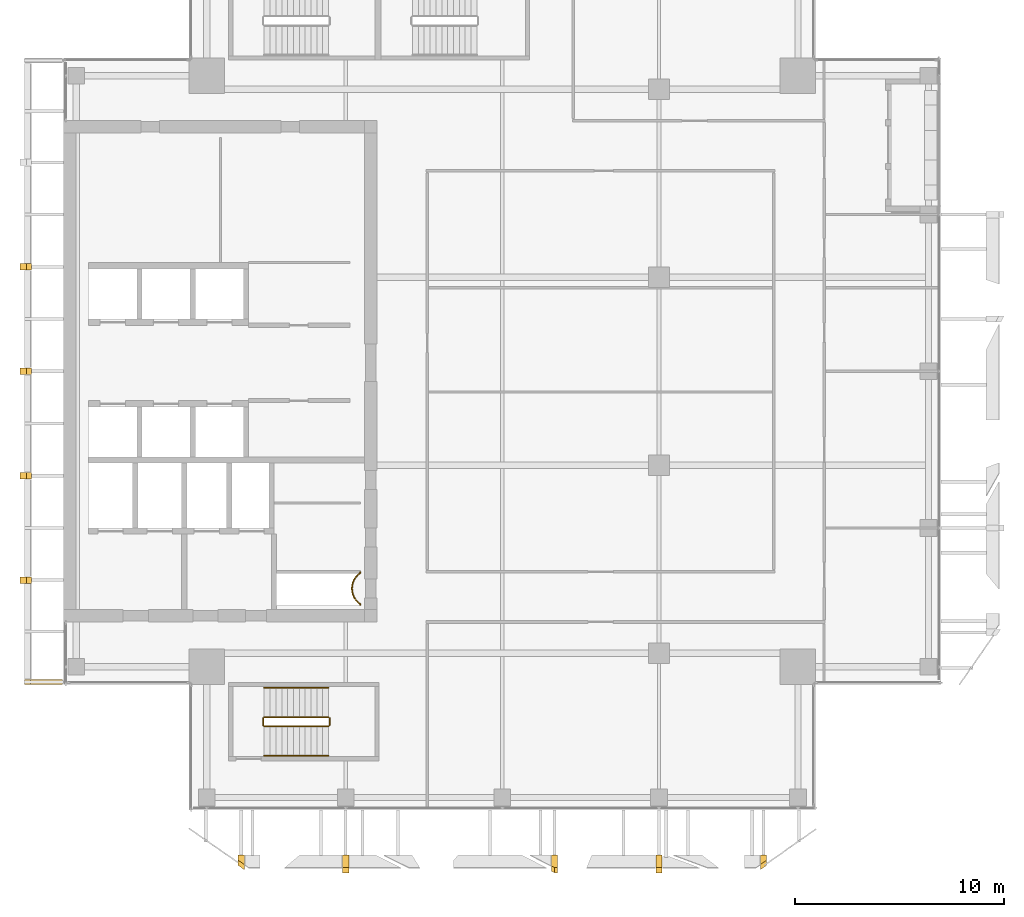
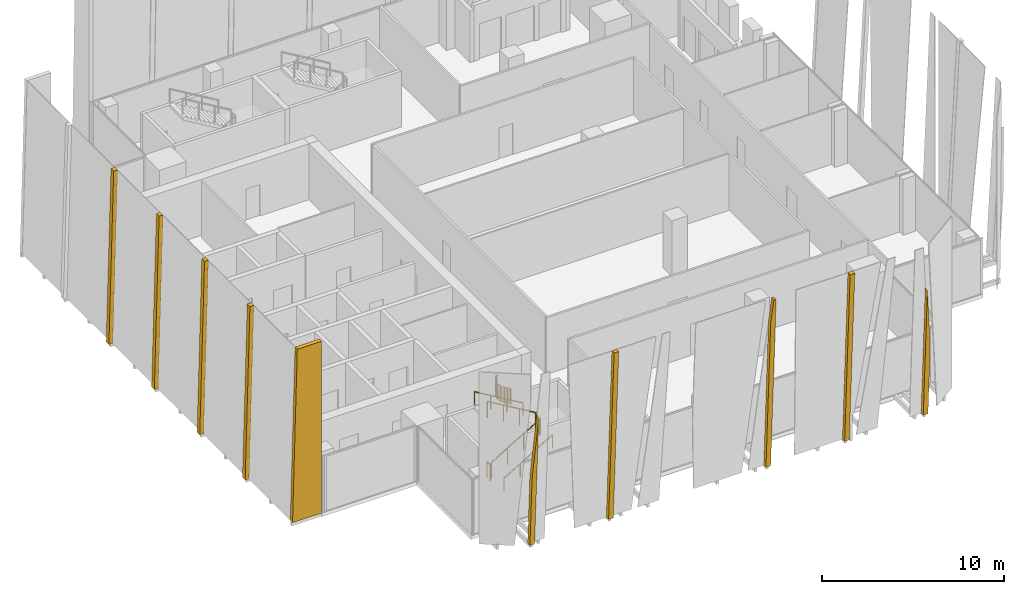
# One storey, part 29 of 32: 10 coverings, 7 railings.
"""IFC4 building model written with IfcOpenShell, lengths in metres."""

from ifc_helpers import new_model, si_unit, direction, frame, origin, origin_2d, place, context, subcontext, project, spatial, polyline, circle, outline, extrude, source, transform, mapped, material, layer, layer_set, type_object, element, save


model = new_model("IFC4")

# Units and contexts
model_context = context("Model", 3, precision=1e-05, world=origin(), true_north=direction((0.0, 1.0)))
body_context = subcontext(model_context, "Body", "Model", "MODEL_VIEW")
ifc_project = project(units=[si_unit("LENGTHUNIT", "METRE"), si_unit("AREAUNIT", "SQUARE_METRE"), si_unit("VOLUMEUNIT", "CUBIC_METRE"), si_unit("PLANEANGLEUNIT", "RADIAN"), si_unit("MASSUNIT", "GRAM", prefix="KILO")], contexts=[model_context])

# Site, building, storey
site_placement = place(None, origin())
site = spatial("IfcSite", under=ifc_project, at=site_placement, CompositionType="ELEMENT")
building_placement = place(site_placement, origin())
building = spatial("IfcBuilding", under=site, at=building_placement, Name="Khomas Fold Tower", CompositionType="ELEMENT")
storey_placement = place(building_placement, frame((0.0, 0.0, 306.199951171875)))
storey = spatial("IfcBuildingStorey", under=building, at=storey_placement, Name="L69", CompositionType="ELEMENT", Elevation=306.199951171875)

# Coverings
ifc_material_1 = material(Name="Natural stone cladding", Category="masonry")
ifc_layer = layer(ifc_material_1, 0.25)
ifc_layer_set = layer_set([ifc_layer], Name="Natural stone cladding")
covering_type = type_object("IfcCoveringType", Name="SK-Karibib marble stone mullion", PredefinedType="CLADDING", material=ifc_layer_set)
covering_1_placement = place(storey_placement, frame((14.35009765625, 3.84228515625, 0.0), z_axis=(0.00013649009, 0.998629476826, 0.052336883602), x_axis=(-1.197e-09, -0.052336884089, 0.998629486128)))
element("IfcCovering", 1, at=covering_1_placement, inside=storey, type_object=covering_type, Name="OUTER SKIN mullion L69 SM099-1", PredefinedType="CLADDING", context=body_context, shape_type="SweptSolid", body=[
    extrude(outline(polyline([(0.0, 0.0), (4.665571776697205, 6.776263578034403e-21), (8.671065644539029, 0.29980470067287324), (-3.589006164258358e-10, 0.2998046847073876), (0.0, 0.0)])), origin(), (0.0, 0.0, -1.0), 0.25),
])
covering_2_placement = place(storey_placement, frame((19.35009765625, 3.84228515625, 0.0), z_axis=(0.0, 0.99862882819, 0.052349436554), x_axis=(0.0, -0.052349436554, 0.99862882819)))
element("IfcCovering", 2, at=covering_2_placement, inside=storey, type_object=covering_type, Name="OUTER SKIN mullion L69 SM100-6", PredefinedType="CLADDING", context=body_context, shape_type="SweptSolid", body=[
    extrude(outline(polyline([(0.0, 0.0), (11.565907674683308, 0.0), (11.565907674683308, 0.2998046875), (0.0, 0.2998046875), (0.0, 0.0)])), origin(), (0.0, 0.0, -1.0), 0.25),
])
covering_3_placement = place(storey_placement, frame((29.35009765625, 3.84228515625, 0.0), z_axis=(-3.9188745e-05, 0.998628799708, 0.052349965209), x_axis=(-6.8e-11, -0.052349965249, 0.998628800475)))
element("IfcCovering", 3, at=covering_3_placement, inside=storey, type_object=covering_type, Name="OUTER SKIN mullion L69 SM102-9", PredefinedType="CLADDING", context=body_context, shape_type="SweptSolid", body=[
    extrude(outline(polyline([(0.0, 0.0), (10.021799436815858, 3.3881317890172014e-21), (11.56590767467107, 0.15625000090578212), (11.565907674661318, 0.29980468829554946), (-2.036907511538925e-11, 0.29980468726978626), (0.0, 0.0)])), origin(), (0.0, 0.0, -1.0), 0.25),
])
covering_4_placement = place(storey_placement, frame((34.35009765625, 3.84228515625, 0.0), z_axis=(0.0, 0.99862882819, 0.052349436554), x_axis=(0.0, -0.052349436554, 0.99862882819)))
element("IfcCovering", 4, at=covering_4_placement, inside=storey, type_object=covering_type, Name="OUTER SKIN mullion L69 SM103-13", PredefinedType="CLADDING", context=body_context, shape_type="SweptSolid", body=[
    extrude(outline(polyline([(0.0, 0.0), (11.565907674683308, 0.0), (11.565907674683308, 0.2998046875), (0.0, 0.2998046875), (0.0, 0.0)])), origin(), (0.0, 0.0, -1.0), 0.25),
])
covering_5_placement = place(storey_placement, frame((39.64990234375, 3.59814453125, 4.6591796875), z_axis=(-0.00013649009, 0.998629476826, 0.052336883602), x_axis=(-1.197e-09, 0.052336884089, -0.998629486128)))
element("IfcCovering", 5, at=covering_5_placement, inside=storey, type_object=covering_type, Name="OUTER SKIN mullion L69 SM104-16", PredefinedType="CLADDING", context=body_context, shape_type="SweptSolid", body=[
    extrude(outline(polyline([(0.0, 0.0), (4.665571776697205, -6.776263578034403e-21), (4.665571777056106, 0.2998046847073876), (-4.005493867841824, 0.29980470067287324), (0.0, 0.0)])), origin(), (0.0, 0.0, -1.0), 0.25),
])
for number, where, z_axis, x_axis, name in (
    (6, (3.910400390625, 16.85009765625, 0.006591796875), (-0.999657230839, 0.0, 0.026180543005), (0.0, 1.0, 0.0), "OUTER SKIN mullion L69 W2"),
    (7, (3.910400390625, 21.85009765625, 0.006591796875), (-0.999657230839, 0.0, 0.026180543005), (0.0, 1.0, 0.0), "OUTER SKIN mullion L69 W4"),
    (8, (3.910400390625, 26.85009765625, 0.006591796875), (-0.999657230839, 0.0, 0.026180543005), (0.0, 1.0, 0.0), "OUTER SKIN mullion L69 W6"),
    (9, (3.910400390625, 31.85009765625, 0.006591796875), (-0.999657230839, 0.0, 0.026180543005), (0.0, 1.0, 0.0), "OUTER SKIN mullion L69 W8"),
):
    element("IfcCovering", number, at=place(storey_placement, frame(where, z_axis=z_axis, x_axis=x_axis)), inside=storey, type_object=covering_type, Name=name, PredefinedType="CLADDING", context=body_context, shape_type="SweptSolid", body=[
        extrude(outline(polyline([(0.0, 0.0), (0.2998046875, 0.0), (0.2998046875, -11.554009186164079), (0.0, -11.554009186164079), (0.0, 0.0)])), origin(), (0.0, 0.0, -1.0), 0.25),
    ])
covering_6_placement = place(storey_placement, frame((5.949951171875, 12.0, 11.550048828125), z_axis=(0.0, -1.0, 0.0), x_axis=(-1.0, 0.0, 0.0)))
element("IfcCovering", 10, at=covering_6_placement, inside=storey, type_object=covering_type, Name="OUTER SKIN return L69 W1", PredefinedType="CLADDING", context=body_context, shape_type="SweptSolid", body=[
    extrude(outline(polyline([(0.0, 0.0), (1.52734375, 0.0), (1.82958984375, 11.550048828125), (0.0, 11.550048828125), (0.0, 0.0)])), origin(), (0.0, 0.0, -1.0), 0.25),
])

# Railings
ifc_material_2 = material(Name="Steel balustrade", Category="steel")
railing_type_1 = type_object("IfcRailingType", Name="Stair guard", PredefinedType="GUARDRAIL", material=ifc_material_2)
shared_shape_1 = source(origin(), body_context, "Body", "SweptSolid", [
    extrude(circle(Radius=0.02392578125, at=origin_2d()), frame((0.0, 0.0, 1.076171875), z_axis=(0.0, 1.0, 0.0), x_axis=(-1.0, 0.0, 0.0)), (0.0, 0.0, 1.0), 0.349853515625),
    extrude(circle(Radius=0.02099609375, at=origin_2d()), origin(), (0.0, 0.0, 1.0), 1.052001953125),
    extrude(circle(Radius=0.02099609375, at=origin_2d()), frame((0.0, 0.349853515625, 0.0)), (0.0, 0.0, 1.0), 1.052001953125),
])
for number, where, name in (
    (11, (18.72998046875, 10.050048828125, 2.0), "L69 ST2 stair guard 2"),
    (12, (15.550048828125, 10.050048828125, 0.0), "L69 ST2 stair guard 4"),
):
    element("IfcRailing", number, at=place(storey_placement, frame(where)), inside=storey, type_object=railing_type_1, Name=name, PredefinedType="GUARDRAIL", context=body_context, shape_type="MappedRepresentation", body=[
        mapped(shared_shape_1, transform((0.0, 0.0, 0.0))),
    ])
shared_shape_2 = source(origin(), body_context, "Body", "SweptSolid", [
    extrude(circle(Radius=0.02392578125, at=origin_2d()), frame((0.0, 0.0, 1.076171875), z_axis=(0.859290745958, 0.0, 0.51148745235), x_axis=(0.0, 1.0, 0.0)), (0.0, 0.0, 1.0), 3.584228515625),
    extrude(circle(Radius=0.02099609375, at=origin_2d()), origin(), (0.0, 0.0, 1.0), 1.052001953125),
    extrude(circle(Radius=0.02099609375, at=origin_2d()), frame((1.026611328125, 0.0, 0.611083984375)), (0.0, 0.0, 1.0), 1.052001953125),
    extrude(circle(Radius=0.02099609375, at=origin_2d()), frame((2.05322265625, 0.0, 1.22216796875)), (0.0, 0.0, 1.0), 1.052001953125),
    extrude(circle(Radius=0.02099609375, at=origin_2d()), frame((3.079833984375, 0.0, 1.833251953125)), (0.0, 0.0, 1.0), 1.052001953125),
])
railing_1_placement = place(storey_placement, frame((15.60009765625, 10.0, 0.166748046875)))
element("IfcRailing", 13, at=railing_1_placement, inside=storey, type_object=railing_type_1, Name="L69 ST2 stair guard 1", PredefinedType="GUARDRAIL", context=body_context, shape_type="MappedRepresentation", body=[
    mapped(shared_shape_2, transform((0.0, 0.0, 0.0))),
])
shared_shape_3 = source(origin(), body_context, "Body", "SweptSolid", [
    extrude(circle(Radius=0.02392578125, at=origin_2d()), frame((0.0, 0.0, 1.076171875), z_axis=(-0.859290745958, 0.0, 0.51148745235), x_axis=(0.0, -1.0, 0.0)), (0.0, 0.0, 1.0), 3.584228515625),
    extrude(circle(Radius=0.02099609375, at=origin_2d()), origin(), (0.0, 0.0, 1.0), 1.052001953125),
    extrude(circle(Radius=0.02099609375, at=origin_2d()), frame((-1.026611328125, 0.0, 0.611083984375)), (0.0, 0.0, 1.0), 1.052001953125),
    extrude(circle(Radius=0.02099609375, at=origin_2d()), frame((-2.05322265625, 0.0, 1.22216796875)), (0.0, 0.0, 1.0), 1.052001953125),
    extrude(circle(Radius=0.02099609375, at=origin_2d()), frame((-3.079833984375, 0.0, 1.833251953125)), (0.0, 0.0, 1.0), 1.052001953125),
])
railing_2_placement = place(storey_placement, frame((18.679931640625, 10.449951171875, 2.166748046875)))
element("IfcRailing", 14, at=railing_2_placement, inside=storey, type_object=railing_type_1, Name="L69 ST2 stair guard 3", PredefinedType="GUARDRAIL", context=body_context, shape_type="MappedRepresentation", body=[
    mapped(shared_shape_3, transform((0.0, 0.0, 0.0))),
])
ifc_material_3 = material(Name="Steel handrail", Category="steel")
railing_type_2 = type_object("IfcRailingType", Name="Stair handrail", PredefinedType="HANDRAIL", material=ifc_material_3)
shared_shape_4 = source(origin(), body_context, "Body", "SweptSolid", [
    extrude(circle(Radius=0.02392578125, at=origin_2d()), frame((0.0, 0.0, 0.8759765625), z_axis=(0.859290745958, 0.0, 0.51148745235), x_axis=(0.0, 1.0, 0.0)), (0.0, 0.0, 1.0), 3.584228515625),
    extrude(circle(Radius=0.02099609375, at=origin_2d()), origin(), (0.0, 0.0, 1.0), 0.851806640625),
    extrude(circle(Radius=0.02099609375, at=origin_2d()), frame((1.026611328125, 0.0, 0.611083984375)), (0.0, 0.0, 1.0), 0.851806640625),
    extrude(circle(Radius=0.02099609375, at=origin_2d()), frame((2.05322265625, 0.0, 1.22216796875)), (0.0, 0.0, 1.0), 0.851806640625),
    extrude(circle(Radius=0.02099609375, at=origin_2d()), frame((3.079833984375, 0.0, 1.833251953125)), (0.0, 0.0, 1.0), 0.851806640625),
])
railing_3_placement = place(storey_placement, frame((15.60009765625, 8.60009765625, 0.166748046875)))
element("IfcRailing", 15, at=railing_3_placement, inside=storey, type_object=railing_type_2, Name="L69 ST2 stair handrail 1", PredefinedType="HANDRAIL", context=body_context, shape_type="MappedRepresentation", body=[
    mapped(shared_shape_4, transform((0.0, 0.0, 0.0))),
])
shared_shape_5 = source(origin(), body_context, "Body", "SweptSolid", [
    extrude(circle(Radius=0.02392578125, at=origin_2d()), frame((0.0, 0.0, 0.8759765625), z_axis=(-0.859290745958, 0.0, 0.51148745235), x_axis=(0.0, -1.0, 0.0)), (0.0, 0.0, 1.0), 3.584228515625),
    extrude(circle(Radius=0.02099609375, at=origin_2d()), origin(), (0.0, 0.0, 1.0), 0.851806640625),
    extrude(circle(Radius=0.02099609375, at=origin_2d()), frame((-1.026611328125, 0.0, 0.611083984375)), (0.0, 0.0, 1.0), 0.851806640625),
    extrude(circle(Radius=0.02099609375, at=origin_2d()), frame((-2.05322265625, 0.0, 1.22216796875)), (0.0, 0.0, 1.0), 0.851806640625),
    extrude(circle(Radius=0.02099609375, at=origin_2d()), frame((-3.079833984375, 0.0, 1.833251953125)), (0.0, 0.0, 1.0), 0.851806640625),
])
railing_4_placement = place(storey_placement, frame((18.679931640625, 11.85009765625, 2.166748046875)))
element("IfcRailing", 16, at=railing_4_placement, inside=storey, type_object=railing_type_2, Name="L69 ST2 stair handrail 2", PredefinedType="HANDRAIL", context=body_context, shape_type="MappedRepresentation", body=[
    mapped(shared_shape_5, transform((0.0, 0.0, 0.0))),
])
ifc_material_4 = material(Name="Steel balustrade", Category="steel")
railing_type_3 = type_object("IfcRailingType", Name="Shaft guard", PredefinedType="GUARDRAIL", material=ifc_material_4)
shared_shape_6 = source(origin(), body_context, "Body", "SweptSolid", [
    extrude(circle(Radius=0.02490234375, at=origin_2d()), frame((0.0, 0.0, 1.0751953125), z_axis=(0.0, -1.0, 0.0), x_axis=(1.0, 0.0, 0.0)), (0.0, 0.0, 1.0), 0.034912109375),
    extrude(circle(Radius=0.02490234375, at=origin_2d()), frame((0.0, -0.034912109375, 1.0751953125), z_axis=(-0.802970227885, -0.596019138224, 0.0), x_axis=(0.596019138224, -0.802970227885, 0.0)), (0.0, 0.0, 1.0), 0.08837890625),
    extrude(circle(Radius=0.02490234375, at=origin_2d()), frame((-0.071044921875, -0.087646484375, 1.0751953125), z_axis=(-0.739563952942, -0.673086294251, 0.0), x_axis=(0.673086294251, -0.739563952942, 0.0)), (0.0, 0.0, 1.0), 0.088134765625),
    extrude(circle(Radius=0.02490234375, at=origin_2d()), frame((-0.13623046875, -0.14697265625, 1.0751953125), z_axis=(-0.671709119666, -0.740814996175, 0.0), x_axis=(0.740814996175, -0.671709119666, 0.0)), (0.0, 0.0, 1.0), 0.08837890625),
    extrude(circle(Radius=0.02490234375, at=origin_2d()), frame((-0.195556640625, -0.21240234375, 1.0751953125), z_axis=(-0.597341843489, -0.801986734315, 0.0), x_axis=(0.801986734315, -0.597341843489, 0.0)), (0.0, 0.0, 1.0), 0.08837890625),
    extrude(circle(Radius=0.02490234375, at=origin_2d()), frame((-0.248291015625, -0.283203125, 1.0751953125), z_axis=(-0.514495755428, -0.857492925713, 0.0), x_axis=(0.857492925713, -0.514495755428, 0.0)), (0.0, 0.0, 1.0), 0.08837890625),
    extrude(circle(Radius=0.02490234375, at=origin_2d()), frame((-0.293701171875, -0.35888671875, 1.0751953125), z_axis=(-0.427256721383, -0.904130352346, 0.0), x_axis=(0.904130352346, -0.427256721383, 0.0)), (0.0, 0.0, 1.0), 0.088623046875),
    extrude(circle(Radius=0.02490234375, at=origin_2d()), frame((-0.33154296875, -0.43896484375, 1.0751953125), z_axis=(-0.335282981086, -0.942117467514, 0.0), x_axis=(0.942117467514, -0.335282981086, 0.0)), (0.0, 0.0, 1.0), 0.088134765625),
    extrude(circle(Radius=0.02490234375, at=origin_2d()), frame((-0.361083984375, -0.52197265625, 1.0751953125), z_axis=(-0.243185799972, -0.969979724887, 0.0), x_axis=(0.969979724887, -0.243185799972, 0.0)), (0.0, 0.0, 1.0), 0.08837890625),
    extrude(circle(Radius=0.02490234375, at=origin_2d()), frame((-0.382568359375, -0.607666015625, 1.0751953125), z_axis=(-0.149150785005, -0.988814463553, 0.0), x_axis=(0.988814463553, -0.149150785005, 0.0)), (0.0, 0.0, 1.0), 0.08837890625),
    extrude(circle(Radius=0.02490234375, at=origin_2d()), frame((-0.395751953125, -0.695068359375, 1.0751953125), z_axis=(-0.047039284441, -0.99889304018, 0.0), x_axis=(0.99889304018, -0.047039284441, 0.0)), (0.0, 0.0, 1.0), 0.088134765625),
    extrude(circle(Radius=0.02490234375, at=origin_2d()), frame((-0.39990234375, -0.783203125, 1.0751953125), z_axis=(0.046909628002, -0.998899137451, 0.0), x_axis=(0.998899137451, 0.046909628002, 0.0)), (0.0, 0.0, 1.0), 0.08837890625),
    extrude(circle(Radius=0.02490234375, at=origin_2d()), frame((-0.395751953125, -0.87158203125, 1.0751953125), z_axis=(0.149150785005, -0.988814463553, 0.0), x_axis=(0.988814463553, 0.149150785005, 0.0)), (0.0, 0.0, 1.0), 0.08837890625),
    extrude(circle(Radius=0.02490234375, at=origin_2d()), frame((-0.382568359375, -0.958984375, 1.0751953125), z_axis=(0.243185799972, -0.969979724887, 0.0), x_axis=(0.969979724887, 0.243185799972, 0.0)), (0.0, 0.0, 1.0), 0.08837890625),
    extrude(circle(Radius=0.02490234375, at=origin_2d()), frame((-0.361083984375, -1.044677734375, 1.0751953125), z_axis=(0.335282981086, -0.942117467514, 0.0), x_axis=(0.942117467514, 0.335282981086, 0.0)), (0.0, 0.0, 1.0), 0.088134765625),
    extrude(circle(Radius=0.02490234375, at=origin_2d()), frame((-0.33154296875, -1.127685546875, 1.0751953125), z_axis=(0.428323905606, -0.903625271828, 0.0), x_axis=(0.903625271828, 0.428323905606, 0.0)), (0.0, 0.0, 1.0), 0.08837890625),
    extrude(circle(Radius=0.02490234375, at=origin_2d()), frame((-0.293701171875, -1.20751953125, 1.0751953125), z_axis=(0.514495755428, -0.857492925713, 0.0), x_axis=(0.857492925713, 0.514495755428, 0.0)), (0.0, 0.0, 1.0), 0.08837890625),
    extrude(circle(Radius=0.02490234375, at=origin_2d()), frame((-0.248291015625, -1.283203125, 1.0751953125), z_axis=(0.596019138224, -0.802970227885, 0.0), x_axis=(0.802970227885, 0.596019138224, 0.0)), (0.0, 0.0, 1.0), 0.08837890625),
    extrude(circle(Radius=0.02490234375, at=origin_2d()), frame((-0.195556640625, -1.354248046875, 1.0751953125), z_axis=(0.671709119666, -0.740814996175, 0.0), x_axis=(0.740814996175, 0.671709119666, 0.0)), (0.0, 0.0, 1.0), 0.08837890625),
    extrude(circle(Radius=0.02490234375, at=origin_2d()), frame((-0.13623046875, -1.419677734375, 1.0751953125), z_axis=(0.739563952942, -0.673086294251, 0.0), x_axis=(0.673086294251, 0.739563952942, 0.0)), (0.0, 0.0, 1.0), 0.088134765625),
    extrude(circle(Radius=0.02490234375, at=origin_2d()), frame((-0.071044921875, -1.47900390625, 1.0751953125), z_axis=(0.804291006819, -0.594235623595, 0.0), x_axis=(0.594235623595, 0.804291006819, 0.0)), (0.0, 0.0, 1.0), 0.08837890625),
    extrude(circle(Radius=0.02490234375, at=origin_2d()), frame((0.0, -1.531494140625, 1.0751953125), z_axis=(0.0, -1.0, 0.0), x_axis=(1.0, 0.0, 0.0)), (0.0, 0.0, 1.0), 0.03515625),
    extrude(circle(Radius=0.02001953125, at=origin_2d()), origin(), (0.0, 0.0, 1.0), 1.050048828125),
    extrude(circle(Radius=0.02001953125, at=origin_2d()), frame((0.0, -0.034912109375, 0.0)), (0.0, 0.0, 1.0), 1.050048828125),
    extrude(circle(Radius=0.02001953125, at=origin_2d()), frame((-0.071044921875, -0.087646484375, 0.0)), (0.0, 0.0, 1.0), 1.050048828125),
    extrude(circle(Radius=0.02001953125, at=origin_2d()), frame((-0.13623046875, -0.14697265625, 0.0)), (0.0, 0.0, 1.0), 1.050048828125),
    extrude(circle(Radius=0.02001953125, at=origin_2d()), frame((-0.195556640625, -0.21240234375, 0.0)), (0.0, 0.0, 1.0), 1.050048828125),
    extrude(circle(Radius=0.02001953125, at=origin_2d()), frame((-0.248291015625, -0.283203125, 0.0)), (0.0, 0.0, 1.0), 1.050048828125),
    extrude(circle(Radius=0.02001953125, at=origin_2d()), frame((-0.293701171875, -0.35888671875, 0.0)), (0.0, 0.0, 1.0), 1.050048828125),
    extrude(circle(Radius=0.02001953125, at=origin_2d()), frame((-0.33154296875, -0.43896484375, 0.0)), (0.0, 0.0, 1.0), 1.050048828125),
    extrude(circle(Radius=0.02001953125, at=origin_2d()), frame((-0.361083984375, -0.52197265625, 0.0)), (0.0, 0.0, 1.0), 1.050048828125),
    extrude(circle(Radius=0.02001953125, at=origin_2d()), frame((-0.382568359375, -0.607666015625, 0.0)), (0.0, 0.0, 1.0), 1.050048828125),
    extrude(circle(Radius=0.02001953125, at=origin_2d()), frame((-0.395751953125, -0.695068359375, 0.0)), (0.0, 0.0, 1.0), 1.050048828125),
    extrude(circle(Radius=0.02001953125, at=origin_2d()), frame((-0.39990234375, -0.783203125, 0.0)), (0.0, 0.0, 1.0), 1.050048828125),
    extrude(circle(Radius=0.02001953125, at=origin_2d()), frame((-0.395751953125, -0.87158203125, 0.0)), (0.0, 0.0, 1.0), 1.050048828125),
    extrude(circle(Radius=0.02001953125, at=origin_2d()), frame((-0.382568359375, -0.958984375, 0.0)), (0.0, 0.0, 1.0), 1.050048828125),
    extrude(circle(Radius=0.02001953125, at=origin_2d()), frame((-0.361083984375, -1.044677734375, 0.0)), (0.0, 0.0, 1.0), 1.050048828125),
    extrude(circle(Radius=0.02001953125, at=origin_2d()), frame((-0.33154296875, -1.127685546875, 0.0)), (0.0, 0.0, 1.0), 1.050048828125),
    extrude(circle(Radius=0.02001953125, at=origin_2d()), frame((-0.293701171875, -1.20751953125, 0.0)), (0.0, 0.0, 1.0), 1.050048828125),
    extrude(circle(Radius=0.02001953125, at=origin_2d()), frame((-0.248291015625, -1.283203125, 0.0)), (0.0, 0.0, 1.0), 1.050048828125),
    extrude(circle(Radius=0.02001953125, at=origin_2d()), frame((-0.195556640625, -1.354248046875, 0.0)), (0.0, 0.0, 1.0), 1.050048828125),
    extrude(circle(Radius=0.02001953125, at=origin_2d()), frame((-0.13623046875, -1.419677734375, 0.0)), (0.0, 0.0, 1.0), 1.050048828125),
    extrude(circle(Radius=0.02001953125, at=origin_2d()), frame((-0.071044921875, -1.47900390625, 0.0)), (0.0, 0.0, 1.0), 1.050048828125),
    extrude(circle(Radius=0.02001953125, at=origin_2d()), frame((0.0, -1.531494140625, 0.0)), (0.0, 0.0, 1.0), 1.050048828125),
    extrude(circle(Radius=0.02001953125, at=origin_2d()), frame((0.0, -1.566650390625, 0.0)), (0.0, 0.0, 1.0), 1.050048828125),
])
railing_5_placement = place(storey_placement, frame((20.199951171875, 17.38330078125, 0.0)))
element("IfcRailing", 17, at=railing_5_placement, inside=storey, type_object=railing_type_3, Name="Shaft guard L69 1", PredefinedType="GUARDRAIL", context=body_context, shape_type="MappedRepresentation", body=[
    mapped(shared_shape_6, transform((0.0, 0.0, 0.0))),
])

save(model, "model.ifc")
